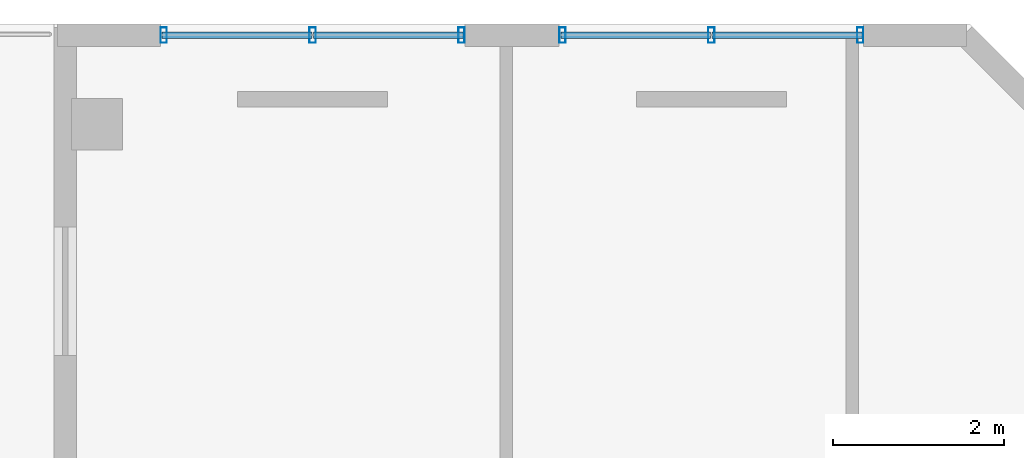
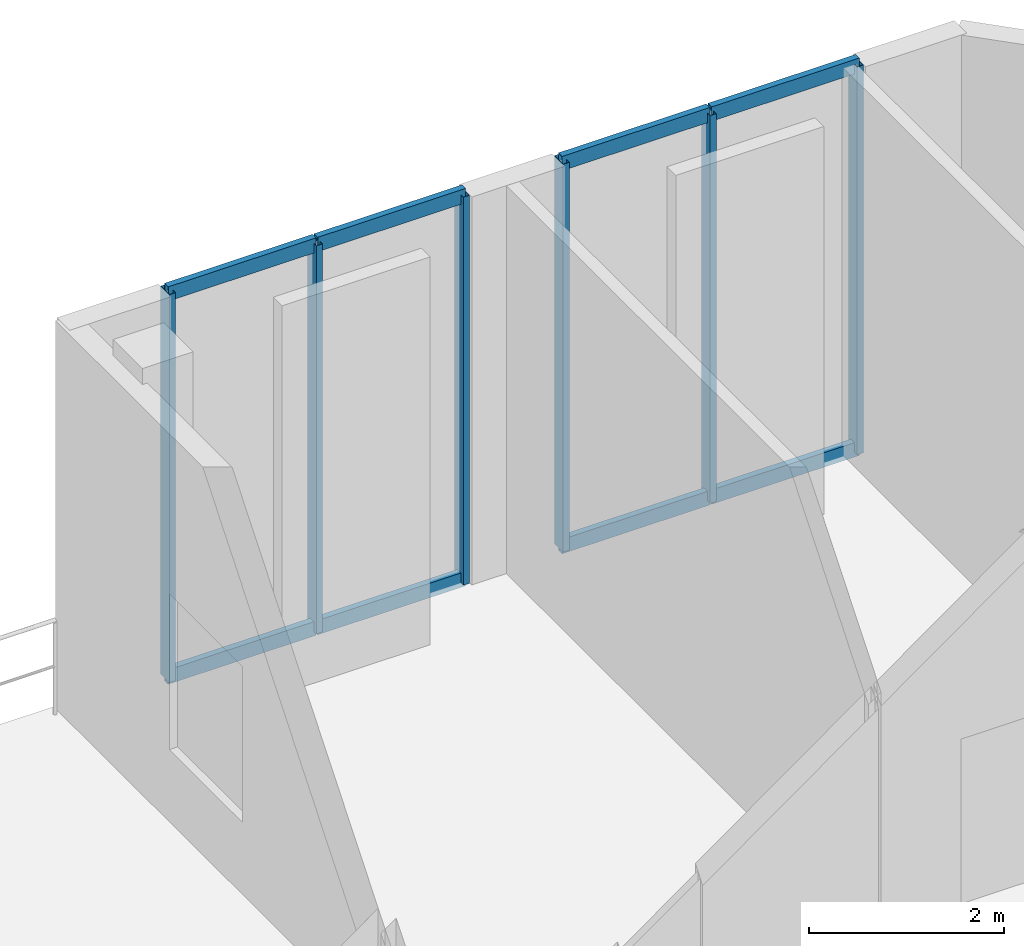
# One storey, part 6 of 12: 14 members, 2 elements without a shape of their own.
"""IFC4 building model written with IfcOpenShell, lengths in metres."""

from ifc_helpers import new_model, si_unit, direction, frame, origin, origin_2d, place, context, subcontext, project, spatial, hollow_rectangle, extrude, material, material_profile, profile_set, type_object, element, aggregate, save


model = new_model("IFC4")

# Units and contexts
model_context = context("Model", 3, precision=1e-05, world=origin(), true_north=direction((0.0, 1.0)))
body_context = subcontext(model_context, "Body", "Model", "MODEL_VIEW")
ifc_project = project(units=[si_unit("LENGTHUNIT", "METRE"), si_unit("AREAUNIT", "SQUARE_METRE"), si_unit("VOLUMEUNIT", "CUBIC_METRE"), si_unit("PLANEANGLEUNIT", "RADIAN"), si_unit("MASSUNIT", "GRAM", prefix="KILO")], contexts=[model_context])

# Site, building, storey
site_placement = place(None, origin())
site = spatial("IfcSite", under=ifc_project, at=site_placement, CompositionType="ELEMENT")
building_placement = place(site_placement, origin())
building = spatial("IfcBuilding", under=site, at=building_placement, Name="Ventersveld Concourse Tower", CompositionType="ELEMENT")
storey_placement = place(building_placement, frame((0.0, 0.0, 251.699951171875)))
storey = spatial("IfcBuildingStorey", under=building, at=storey_placement, Name="L62", CompositionType="ELEMENT", Elevation=251.699951171875)

# Curtain wall, members
ifc_material = material(Name="Anodised aluminium EN AW-6063-T6", Category="aluminium")
curtain_wall_type = type_object("IfcCurtainWallType", Name="CW-SLOB-3", PredefinedType="NOTDEFINED", material=ifc_material)
curtain_wall_1_placement = place(storey_placement, origin())
curtain_wall_1 = element("IfcCurtainWall", 1, at=curtain_wall_1_placement, inside=storey, type_object=curtain_wall_type, Name="L62 L62 Sky Lobby East Curtain Wall 1", PredefinedType="NOTDEFINED")
ifc_material_profile_1 = material_profile(ifc_material, hollow_rectangle(XDim=0.074951171875, YDim=0.179931640625, WallThickness=0.00390625, at=origin_2d()), Name="ALU 180x75x4")
ifc_profile_set_1 = profile_set([ifc_material_profile_1], Name="Anodised aluminium EN AW-6063-T6")
member_type_1 = type_object("IfcMemberType", Name="CWM-180x75", PredefinedType="MULLION", material=ifc_profile_set_1)
member_1_placement = place(storey_placement, frame((37.030029296875, 36.0419921875, 0.0), z_axis=(0.0, 0.0, 1.0), x_axis=(1.0, 0.0, 0.0)))
member_1 = element("IfcMember", 2, at=member_1_placement, type_object=member_type_1, Name="CW-L62-SL-E1 Mullion 01", PredefinedType="MULLION", context=body_context, shape_type="SweptSolid", body=[
    extrude(hollow_rectangle(XDim=0.074951171875, YDim=0.179931640625, WallThickness=0.00390625, at=origin_2d()), origin(), (0.0, 0.0, 1.0), 4.85009765625),
])
member_2_placement = place(storey_placement, frame((38.768798828125, 36.0419921875, 0.0), z_axis=(0.0, 0.0, 1.0), x_axis=(1.0, 0.0, 0.0)))
member_2 = element("IfcMember", 3, at=member_2_placement, type_object=member_type_1, Name="CW-L62-SL-E1 Mullion 02", PredefinedType="MULLION", context=body_context, shape_type="SweptSolid", body=[
    extrude(hollow_rectangle(XDim=0.074951171875, YDim=0.179931640625, WallThickness=0.00390625, at=origin_2d()), origin(), (0.0, 0.0, 1.0), 4.85009765625),
])
member_3_placement = place(storey_placement, frame((40.50732421875, 36.0419921875, 0.0), z_axis=(0.0, 0.0, 1.0), x_axis=(1.0, 0.0, 0.0)))
member_3 = element("IfcMember", 4, at=member_3_placement, type_object=member_type_1, Name="CW-L62-SL-E1 Mullion 03", PredefinedType="MULLION", context=body_context, shape_type="SweptSolid", body=[
    extrude(hollow_rectangle(XDim=0.074951171875, YDim=0.179931640625, WallThickness=0.00390625, at=origin_2d()), origin(), (0.0, 0.0, 1.0), 4.85009765625),
])

curtain_wall_2_placement = place(storey_placement, origin())
curtain_wall_2 = element("IfcCurtainWall", 5, at=curtain_wall_2_placement, inside=storey, type_object=curtain_wall_type, Name="L62 L62 Sky Lobby East Curtain Wall 2", PredefinedType="NOTDEFINED")
member_4_placement = place(storey_placement, frame((41.687255859375, 36.0419921875, 0.0), z_axis=(0.0, 0.0, 1.0), x_axis=(1.0, 0.0, 0.0)))
member_4 = element("IfcMember", 6, at=member_4_placement, type_object=member_type_1, Name="CW-L62-SL-E2 Mullion 01", PredefinedType="MULLION", context=body_context, shape_type="SweptSolid", body=[
    extrude(hollow_rectangle(XDim=0.074951171875, YDim=0.179931640625, WallThickness=0.00390625, at=origin_2d()), origin(), (0.0, 0.0, 1.0), 4.85009765625),
])
member_5_placement = place(storey_placement, frame((43.42578125, 36.0419921875, 0.0), z_axis=(0.0, 0.0, 1.0), x_axis=(1.0, 0.0, 0.0)))
member_5 = element("IfcMember", 7, at=member_5_placement, type_object=member_type_1, Name="CW-L62-SL-E2 Mullion 02", PredefinedType="MULLION", context=body_context, shape_type="SweptSolid", body=[
    extrude(hollow_rectangle(XDim=0.074951171875, YDim=0.179931640625, WallThickness=0.00390625, at=origin_2d()), origin(), (0.0, 0.0, 1.0), 4.85009765625),
])
member_6_placement = place(storey_placement, frame((45.16455078125, 36.0419921875, 0.0), z_axis=(0.0, 0.0, 1.0), x_axis=(1.0, 0.0, 0.0)))
member_6 = element("IfcMember", 8, at=member_6_placement, type_object=member_type_1, Name="CW-L62-SL-E2 Mullion 03", PredefinedType="MULLION", context=body_context, shape_type="SweptSolid", body=[
    extrude(hollow_rectangle(XDim=0.074951171875, YDim=0.179931640625, WallThickness=0.00390625, at=origin_2d()), origin(), (0.0, 0.0, 1.0), 4.85009765625),
])

# Member
ifc_material_profile_2 = material_profile(ifc_material, hollow_rectangle(XDim=0.074951171875, YDim=0.179931640625, WallThickness=0.00390625, at=origin_2d()), Name="ALU 180x75x4")
ifc_profile_set_2 = profile_set([ifc_material_profile_2], Name="Anodised aluminium EN AW-6063-T6")
member_type_2 = type_object("IfcMemberType", Name="CWT-180x75", PredefinedType="USERDEFINED", material=ifc_profile_set_2)
member_7_placement = place(storey_placement, frame((37.010009765625, 36.0419921875, 0.030029296875), z_axis=(1.0, 0.0, 0.0), x_axis=(0.0, 1.0, 0.0)))
member_7 = element("IfcMember", 9, at=member_7_placement, type_object=member_type_2, Name="CW-L62-SL-E1 Transom 1-01", ObjectType="TRANSOM", PredefinedType="USERDEFINED", context=body_context, shape_type="SweptSolid", body=[
    extrude(hollow_rectangle(XDim=0.074951171875, YDim=0.179931640625, WallThickness=0.00390625, at=origin_2d()), origin(), (0.0, 0.0, 1.0), 1.748779296875),
])

member_8_placement = place(storey_placement, frame((38.778564453125, 36.0419921875, 0.030029296875), z_axis=(1.0, 0.0, 0.0), x_axis=(0.0, 1.0, 0.0)))
member_8 = element("IfcMember", 10, at=member_8_placement, type_object=member_type_2, Name="CW-L62-SL-E1 Transom 1-02", ObjectType="TRANSOM", PredefinedType="USERDEFINED", context=body_context, shape_type="SweptSolid", body=[
    extrude(hollow_rectangle(XDim=0.074951171875, YDim=0.179931640625, WallThickness=0.00390625, at=origin_2d()), origin(), (0.0, 0.0, 1.0), 1.748779296875),
])

member_9_placement = place(storey_placement, frame((37.010009765625, 36.0419921875, 4.820068359375), z_axis=(1.0, 0.0, 0.0), x_axis=(0.0, 1.0, 0.0)))
member_9 = element("IfcMember", 11, at=member_9_placement, type_object=member_type_2, Name="CW-L62-SL-E1 Transom 2-01", ObjectType="TRANSOM", PredefinedType="USERDEFINED", context=body_context, shape_type="SweptSolid", body=[
    extrude(hollow_rectangle(XDim=0.074951171875, YDim=0.179931640625, WallThickness=0.00390625, at=origin_2d()), origin(), (0.0, 0.0, 1.0), 1.748779296875),
])

member_10_placement = place(storey_placement, frame((38.778564453125, 36.0419921875, 4.820068359375), z_axis=(1.0, 0.0, 0.0), x_axis=(0.0, 1.0, 0.0)))
member_10 = element("IfcMember", 12, at=member_10_placement, type_object=member_type_2, Name="CW-L62-SL-E1 Transom 2-02", ObjectType="TRANSOM", PredefinedType="USERDEFINED", context=body_context, shape_type="SweptSolid", body=[
    extrude(hollow_rectangle(XDim=0.074951171875, YDim=0.179931640625, WallThickness=0.00390625, at=origin_2d()), origin(), (0.0, 0.0, 1.0), 1.748779296875),
])

aggregate(curtain_wall_1, [member_1, member_2, member_3, member_7, member_8, member_9, member_10])

member_11_placement = place(storey_placement, frame((41.667236328125, 36.0419921875, 0.030029296875), z_axis=(1.0, 0.0, 0.0), x_axis=(0.0, 1.0, 0.0)))
member_11 = element("IfcMember", 13, at=member_11_placement, type_object=member_type_2, Name="CW-L62-SL-E2 Transom 1-01", ObjectType="TRANSOM", PredefinedType="USERDEFINED", context=body_context, shape_type="SweptSolid", body=[
    extrude(hollow_rectangle(XDim=0.074951171875, YDim=0.179931640625, WallThickness=0.00390625, at=origin_2d()), origin(), (0.0, 0.0, 1.0), 1.748779296875),
])

member_12_placement = place(storey_placement, frame((43.435791015625, 36.0419921875, 0.030029296875), z_axis=(1.0, 0.0, 0.0), x_axis=(0.0, 1.0, 0.0)))
member_12 = element("IfcMember", 14, at=member_12_placement, type_object=member_type_2, Name="CW-L62-SL-E2 Transom 1-02", ObjectType="TRANSOM", PredefinedType="USERDEFINED", context=body_context, shape_type="SweptSolid", body=[
    extrude(hollow_rectangle(XDim=0.074951171875, YDim=0.179931640625, WallThickness=0.00390625, at=origin_2d()), origin(), (0.0, 0.0, 1.0), 1.748779296875),
])

member_13_placement = place(storey_placement, frame((41.667236328125, 36.0419921875, 4.820068359375), z_axis=(1.0, 0.0, 0.0), x_axis=(0.0, 1.0, 0.0)))
member_13 = element("IfcMember", 15, at=member_13_placement, type_object=member_type_2, Name="CW-L62-SL-E2 Transom 2-01", ObjectType="TRANSOM", PredefinedType="USERDEFINED", context=body_context, shape_type="SweptSolid", body=[
    extrude(hollow_rectangle(XDim=0.074951171875, YDim=0.179931640625, WallThickness=0.00390625, at=origin_2d()), origin(), (0.0, 0.0, 1.0), 1.748779296875),
])

member_14_placement = place(storey_placement, frame((43.435791015625, 36.0419921875, 4.820068359375), z_axis=(1.0, 0.0, 0.0), x_axis=(0.0, 1.0, 0.0)))
member_14 = element("IfcMember", 16, at=member_14_placement, type_object=member_type_2, Name="CW-L62-SL-E2 Transom 2-02", ObjectType="TRANSOM", PredefinedType="USERDEFINED", context=body_context, shape_type="SweptSolid", body=[
    extrude(hollow_rectangle(XDim=0.074951171875, YDim=0.179931640625, WallThickness=0.00390625, at=origin_2d()), origin(), (0.0, 0.0, 1.0), 1.748779296875),
])

aggregate(curtain_wall_2, [member_4, member_5, member_6, member_11, member_12, member_13, member_14])

save(model, "model.ifc")
